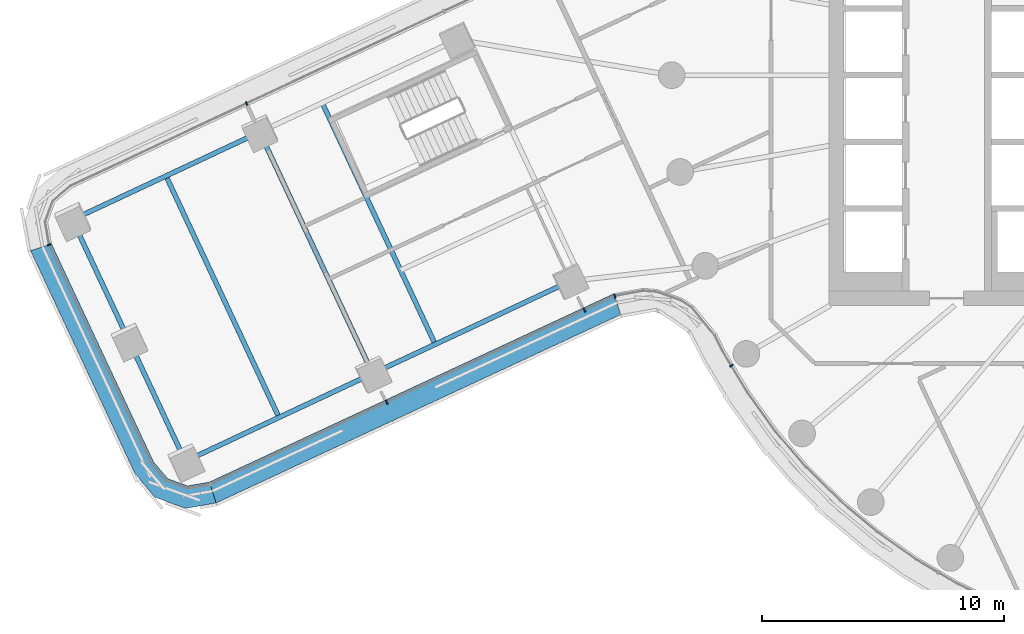
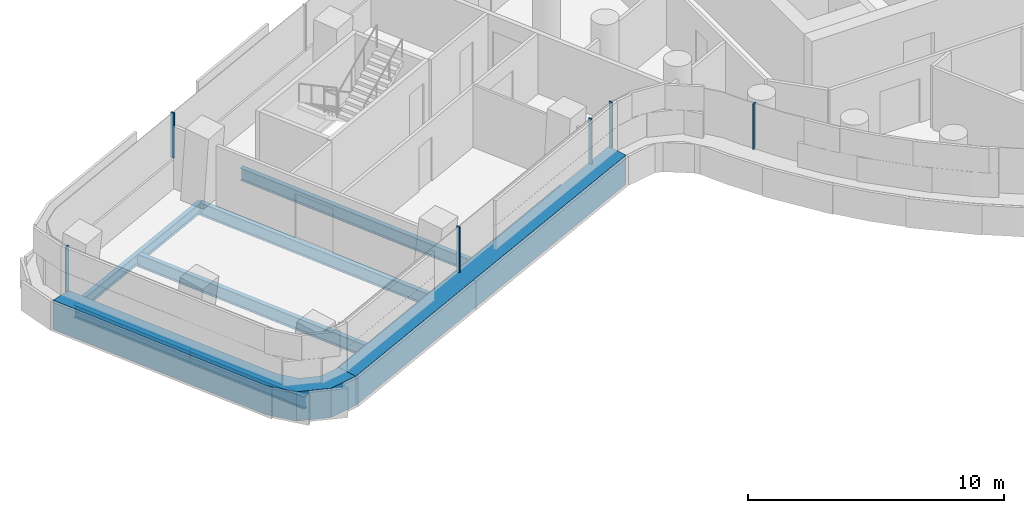
# One storey, part 6 of 36: 8 beams, 8 members, 4 elements without a shape of their own.
"""IFC4 building model written with IfcOpenShell, lengths in metres."""

from ifc_helpers import new_model, si_unit, direction, frame, origin, origin_2d, place, context, subcontext, project, spatial, polyline, rectangle, i_section, outline, extrude, material, layer, layer_set, material_profile, profile_set, type_object, element, aggregate, save


model = new_model("IFC4")

# Units and contexts
model_context = context("Model", 3, precision=1e-05, world=origin(), true_north=direction((0.0, 1.0)))
body_context = subcontext(model_context, "Body", "Model", "MODEL_VIEW")
ifc_project = project(units=[si_unit("LENGTHUNIT", "METRE"), si_unit("AREAUNIT", "SQUARE_METRE"), si_unit("VOLUMEUNIT", "CUBIC_METRE"), si_unit("PLANEANGLEUNIT", "RADIAN"), si_unit("MASSUNIT", "GRAM", prefix="KILO")], contexts=[model_context])

# Site, building, storey
site_placement = place(None, origin())
site = spatial("IfcSite", under=ifc_project, at=site_placement, CompositionType="ELEMENT")
building_placement = place(site_placement, origin())
building = spatial("IfcBuilding", under=site, at=building_placement, Name="Tamarind Cross Interchange Tower", CompositionType="ELEMENT")
storey_placement = place(building_placement, frame((0.0, 0.0, 124.75)))
storey = spatial("IfcBuildingStorey", under=building, at=storey_placement, Name="L30", CompositionType="ELEMENT", Elevation=124.75)

# Beams
ifc_material_1 = material(Name="Steel Q355B", Category="steel")
ifc_material_profile_1 = material_profile(ifc_material_1, i_section(OverallWidth=0.198974609375, OverallDepth=0.49609375, WebThickness=0.009033203125, FlangeThickness=0.013916015625, FilletRadius=0.012939453125, at=origin_2d()), Name="HN 496x199x9x14")
ifc_profile_set_1 = profile_set([ifc_material_profile_1], Name="Steel Q355B")
beam_type_1 = type_object("IfcBeamType", Name="Composite beam HN 496x199x9x14 Q355B", PredefinedType="BEAM", material=ifc_profile_set_1)
for number, where, z_axis, x_axis, name in (
    (1, (-47.72998046875, -5.966796875, -0.387939453125), (0.905762431873, 0.423785815014, 0.0), (-0.423785815014, 0.905762431873, 0.0), "Beam W-edgeem5"),
    (2, (-43.068115234375, -15.93017578125, -0.387939453125), (0.90575145014, 0.423809285609, 0.0), (-0.423809285609, 0.90575145014, 0.0), "Beam W-edgeep2"),
):
    element("IfcBeam", number, at=place(storey_placement, frame(where, z_axis=z_axis, x_axis=x_axis)), inside=storey, type_object=beam_type_1, Name=name, PredefinedType="BEAM", context=body_context, shape_type="SweptSolid", body=[
        extrude(i_section(OverallWidth=0.198974609375, OverallDepth=0.49609375, WebThickness=0.009033203125, FlangeThickness=0.013916015625, FilletRadius=0.012939453125, at=origin_2d()), origin(), (0.0, 0.0, 1.0), 8.53369140625),
    ])
beam_1_placement = place(storey_placement, frame((-35.338623046875, -12.3134765625, -0.387939453125), z_axis=(0.905756475666, 0.423798545053, 0.0), x_axis=(-0.423798545053, 0.905756475666, 0.0)))
element("IfcBeam", 3, at=beam_1_placement, inside=storey, type_object=beam_type_1, Name="Beam W-edgeep3", PredefinedType="BEAM", context=body_context, shape_type="SweptSolid", body=[
    extrude(i_section(OverallWidth=0.198974609375, OverallDepth=0.49609375, WebThickness=0.009033203125, FlangeThickness=0.013916015625, FilletRadius=0.012939453125, at=origin_2d()), origin(), (0.0, 0.0, 1.0), 9.0),
])
ifc_material_profile_2 = material_profile(ifc_material_1, i_section(OverallWidth=0.199951171875, OverallDepth=0.60009765625, WebThickness=0.010986328125, FlangeThickness=0.01708984375, FilletRadius=0.012939453125, at=origin_2d()), Name="HN 600x200x11x17")
ifc_profile_set_2 = profile_set([ifc_material_profile_2], Name="Steel Q355B")
beam_type_2 = type_object("IfcBeamType", Name="Composite beam HN 600x200x11x17 Q355B", PredefinedType="BEAM", material=ifc_profile_set_2)
for number, where, z_axis, x_axis, name in (
    (4, (-47.72998046875, -5.966796875, -0.43994140625), (0.423820799174, -0.90574606275, 0.0), (0.90574606275, 0.423820799174, 0.0), "Beam W-tip0"),
    (5, (-45.39892578125, -10.948486328125, -0.43994140625), (0.423784382941, -0.905763101907, 0.0), (0.905763101907, 0.423784382941, 0.0), "Beam W-tip1"),
):
    element("IfcBeam", number, at=place(storey_placement, frame(where, z_axis=z_axis, x_axis=x_axis)), inside=storey, type_object=beam_type_2, Name=name, PredefinedType="BEAM", context=body_context, shape_type="SweptSolid", body=[
        extrude(i_section(OverallWidth=0.199951171875, OverallDepth=0.60009765625, WebThickness=0.010986328125, FlangeThickness=0.01708984375, FilletRadius=0.012939453125, at=origin_2d()), origin(), (0.0, 0.0, 1.0), 5.5),
    ])
beam_2_placement = place(storey_placement, frame((-37.4189453125, -1.142333984375, -0.43994140625), z_axis=(0.423802591314, -0.905754582431, 0.0), x_axis=(0.905754582431, 0.423802591314, 0.0)))
element("IfcBeam", 6, at=beam_2_placement, inside=storey, type_object=beam_type_2, Name="Beam W-x364", PredefinedType="BEAM", context=body_context, shape_type="SweptSolid", body=[
    extrude(i_section(OverallWidth=0.199951171875, OverallDepth=0.60009765625, WebThickness=0.010986328125, FlangeThickness=0.01708984375, FilletRadius=0.012939453125, at=origin_2d()), origin(), (0.0, 0.0, 1.0), 11.0),
])
beam_3_placement = place(storey_placement, frame((-40.00048828125, -2.350341796875, -0.43994140625), z_axis=(0.423811111045, -0.905750596, 0.0), x_axis=(0.905750596, 0.423811111045, 0.0)))
element("IfcBeam", 7, at=beam_3_placement, inside=storey, type_object=beam_type_2, Name="Beam W-x393", PredefinedType="BEAM", context=body_context, shape_type="SweptSolid", body=[
    extrude(i_section(OverallWidth=0.199951171875, OverallDepth=0.60009765625, WebThickness=0.010986328125, FlangeThickness=0.01708984375, FilletRadius=0.012939453125, at=origin_2d()), origin(), (0.0, 0.0, 1.0), 10.999755859375),
])
beam_4_placement = place(storey_placement, frame((-43.865234375, -4.158447265625, -0.43994140625), z_axis=(0.423802591314, -0.905754582431, 0.0), x_axis=(0.905754582431, 0.423802591314, 0.0)))
element("IfcBeam", 8, at=beam_4_placement, inside=storey, type_object=beam_type_2, Name="Beam W-x436", PredefinedType="BEAM", context=body_context, shape_type="SweptSolid", body=[
    extrude(i_section(OverallWidth=0.199951171875, OverallDepth=0.60009765625, WebThickness=0.010986328125, FlangeThickness=0.01708984375, FilletRadius=0.012939453125, at=origin_2d()), origin(), (0.0, 0.0, 1.0), 11.0),
])

# Curtain wall, member
ifc_material_2 = material(Name="Aluminium 6063-T6", Category="aluminium")
ifc_layer = layer(ifc_material_2, 0.159912109375)
ifc_layer_set = layer_set([ifc_layer], Name="Aluminium 6063-T6")
curtain_wall_type = type_object("IfcCurtainWallType", Name="Office curtain wall, 9.0 m bays", PredefinedType="NOTDEFINED", material=ifc_layer_set)
curtain_wall_1_placement = place(storey_placement, origin())
curtain_wall_1 = element("IfcCurtainWall", 9, at=curtain_wall_1_placement, inside=storey, type_object=curtain_wall_type, Name="CWS-L30-00", PredefinedType="NOTDEFINED")
ifc_material_3 = material(Name="Aluminium and insulated spandrel panel", Category="aluminium")
member_type_1 = type_object("IfcMemberType", Name="Floor-edge blade transom", PredefinedType="USERDEFINED", material=ifc_material_3)
member_1_placement = place(storey_placement, origin())
member_1 = element("IfcMember", 10, at=member_1_placement, type_object=member_type_1, Name="CWT-L30-00", ObjectType="TRANSOM", PredefinedType="USERDEFINED", context=body_context, shape_type="SweptSolid", body=[
    extrude(outline(polyline([(-48.588134765625, -6.964111328125), (-44.383544921875, -15.9501953125), (-43.794189453125, -16.650634765625), (-42.97216796875, -16.948486328125), (-42.070556640625, -16.788330078125), (-41.79736328125, -17.65380859375), (-43.052001953125, -17.876953125), (-44.32763671875, -17.41455078125), (-45.1484375, -16.438720703125), (-49.45361328125, -7.23828125), (-48.588134765625, -6.964111328125)])), origin(), (0.0, 0.0, 1.0), 1.39990234375),
])

curtain_wall_2_placement = place(storey_placement, origin())
curtain_wall_2 = element("IfcCurtainWall", 11, at=curtain_wall_2_placement, inside=storey, type_object=curtain_wall_type, Name="CWS-L30-01", PredefinedType="NOTDEFINED")
member_2_placement = place(storey_placement, origin())
member_2 = element("IfcMember", 12, at=member_2_placement, type_object=member_type_1, Name="CWT-L30-01", ObjectType="TRANSOM", PredefinedType="USERDEFINED", context=body_context, shape_type="SweptSolid", body=[
    extrude(outline(polyline([(-42.070556640625, -16.788330078125), (-25.378662109375, -9.0146484375), (-25.10400390625, -9.879638671875), (-41.79736328125, -17.65380859375), (-42.070556640625, -16.788330078125)])), origin(), (0.0, 0.0, 1.0), 1.39990234375),
])

# Member
ifc_material_profile_3 = material_profile(ifc_material_2, rectangle(XDim=0.06005859375, YDim=0.159912109375, at=origin_2d()), Name="Mullion CW1")
ifc_profile_set_3 = profile_set([ifc_material_profile_3], Name="Aluminium 6063-T6")
member_type_2 = type_object("IfcMemberType", Name="Mullion CW1", PredefinedType="MULLION", material=ifc_profile_set_3)
member_3_placement = place(storey_placement, frame((-48.684326171875, -6.99462890625, 1.39990234375), z_axis=(0.0, 0.0, 1.0), x_axis=(0.301957281813, -0.953321456782, 0.0)))
member_3 = element("IfcMember", 13, at=member_3_placement, type_object=member_type_2, Name="CWM-L30-00-00", PredefinedType="MULLION", context=body_context, shape_type="SweptSolid", body=[
    extrude(rectangle(XDim=0.06005859375, YDim=0.159912109375, at=origin_2d()), origin(), (0.0, 0.0, 1.0), 2.170166015625),
])

aggregate(curtain_wall_1, [member_3, member_1])

member_4_placement = place(storey_placement, frame((-34.757568359375, -13.492919921875, 1.39990234375), z_axis=(0.0, 0.0, 1.0), x_axis=(0.906515024732, 0.422173554282, 0.0)))
member_4 = element("IfcMember", 14, at=member_4_placement, type_object=member_type_2, Name="CWM-L30-01-01", PredefinedType="MULLION", context=body_context, shape_type="SweptSolid", body=[
    extrude(rectangle(XDim=0.06005859375, YDim=0.159912109375, at=origin_2d()), origin(), (0.0, 0.0, 1.0), 2.170166015625),
])

member_5_placement = place(storey_placement, frame((-26.59912109375, -9.693603515625, 1.39990234375), z_axis=(0.0, 0.0, 1.0), x_axis=(0.906515024732, 0.422173554282, 0.0)))
member_5 = element("IfcMember", 15, at=member_5_placement, type_object=member_type_2, Name="CWM-L30-01-02", PredefinedType="MULLION", context=body_context, shape_type="SweptSolid", body=[
    extrude(rectangle(XDim=0.06005859375, YDim=0.159912109375, at=origin_2d()), origin(), (0.0, 0.0, 1.0), 2.170166015625),
])

aggregate(curtain_wall_2, [member_4, member_5, member_2])

# Curtain wall, members
curtain_wall_3_placement = place(storey_placement, origin())
curtain_wall_3 = element("IfcCurtainWall", 16, at=curtain_wall_3_placement, inside=storey, type_object=curtain_wall_type, Name="CWS-L30-02", PredefinedType="NOTDEFINED")
member_6_placement = place(storey_placement, frame((-25.34814453125, -9.11083984375, 1.39990234375), z_axis=(0.0, 0.0, 1.0), x_axis=(0.953164291766, 0.302453025944, 0.0)))
member_6 = element("IfcMember", 17, at=member_6_placement, type_object=member_type_2, Name="CWM-L30-02-00", PredefinedType="MULLION", context=body_context, shape_type="SweptSolid", body=[
    extrude(rectangle(XDim=0.06005859375, YDim=0.159912109375, at=origin_2d()), origin(), (0.0, 0.0, 1.0), 2.170166015625),
])
member_7_placement = place(storey_placement, frame((-20.534423828125, -11.98779296875, 1.39990234375), z_axis=(0.0, 0.0, 1.0), x_axis=(0.515577308909, -0.856843065292, 0.0)))
member_7 = element("IfcMember", 18, at=member_7_placement, type_object=member_type_2, Name="CWM-L30-02-01", PredefinedType="MULLION", context=body_context, shape_type="SweptSolid", body=[
    extrude(rectangle(XDim=0.06005859375, YDim=0.159912109375, at=origin_2d()), origin(), (0.0, 0.0, 1.0), 2.170166015625),
])
aggregate(curtain_wall_3, [member_6, member_7])

# Curtain wall, member
curtain_wall_4_placement = place(storey_placement, origin())
curtain_wall_4 = element("IfcCurtainWall", 19, at=curtain_wall_4_placement, inside=storey, type_object=curtain_wall_type, Name="CWS-L30-15", PredefinedType="NOTDEFINED")
member_8_placement = place(storey_placement, frame((-40.539306640625, -1.1669921875, 1.39990234375), z_axis=(0.0, 0.0, 1.0), x_axis=(-0.905752325355, -0.423807415123, 0.0)))
member_8 = element("IfcMember", 20, at=member_8_placement, type_object=member_type_2, Name="CWM-L30-15-02", PredefinedType="MULLION", context=body_context, shape_type="SweptSolid", body=[
    extrude(rectangle(XDim=0.06005859375, YDim=0.159912109375, at=origin_2d()), origin(), (0.0, 0.0, 1.0), 2.170166015625),
])
aggregate(curtain_wall_4, [member_8])

save(model, "model.ifc")
